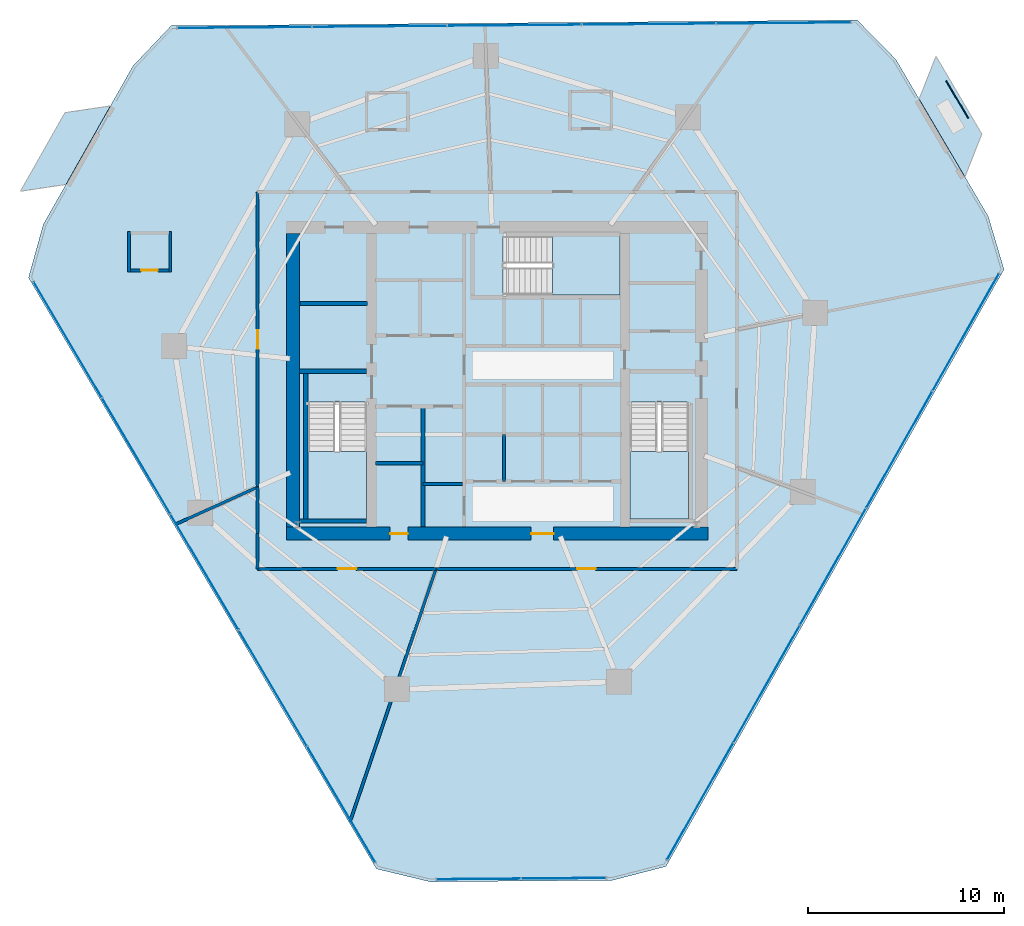
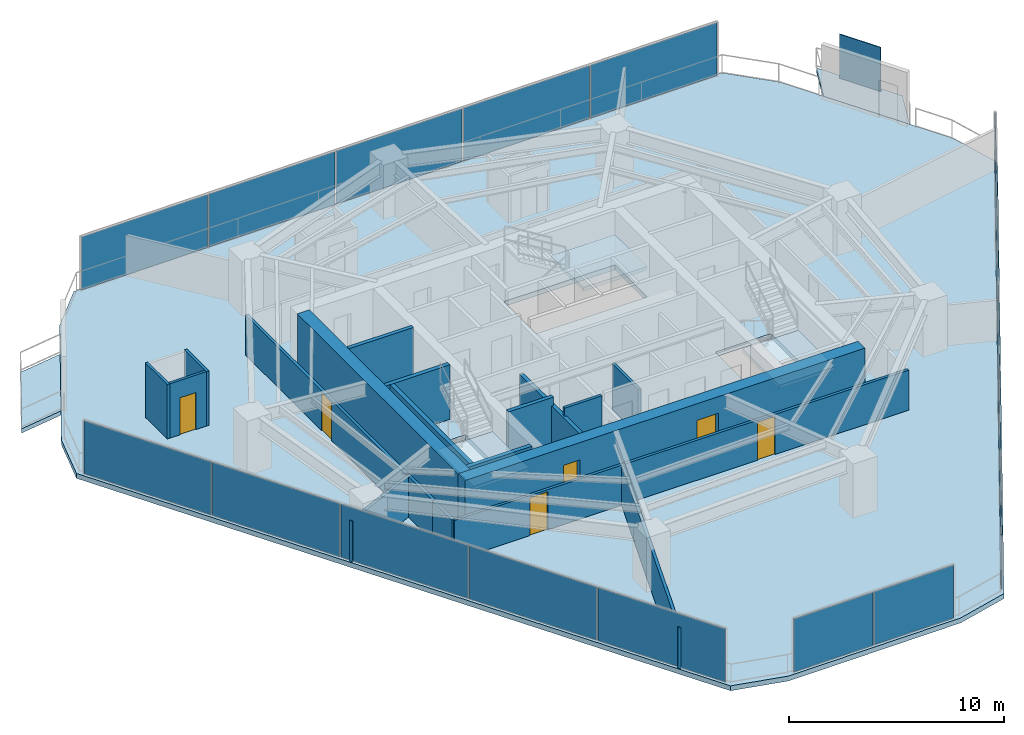
# One storey, part 24 of 31: 20 walls, 18 plates, 6 doors, 6 slabs, 6 openings, 7 elements without a shape of their own.
"""IFC4 building model written with IfcOpenShell, lengths in metres."""

from ifc_helpers import new_model, si_unit, direction, frame, frame_2d, origin, origin_2d, place, context, subcontext, project, spatial, polyline, rectangle, outline, extrude, material, layer, layer_set, type_object, element, fill, aggregate, save


model = new_model("IFC4")

# Units and contexts
model_context = context("Model", 3, precision=1e-05, world=origin(), true_north=direction((0.0, 1.0)))
body_context = subcontext(model_context, "Body", "Model", "MODEL_VIEW")
ifc_project = project(units=[si_unit("LENGTHUNIT", "METRE"), si_unit("AREAUNIT", "SQUARE_METRE"), si_unit("VOLUMEUNIT", "CUBIC_METRE"), si_unit("PLANEANGLEUNIT", "RADIAN"), si_unit("MASSUNIT", "GRAM", prefix="KILO")], contexts=[model_context])

# Site, building, storey
site_placement = place(None, origin())
site = spatial("IfcSite", under=ifc_project, at=site_placement, CompositionType="ELEMENT")
building_placement = place(site_placement, origin())
building = spatial("IfcBuilding", under=site, at=building_placement, Name="Qarnah Convention Tower", CompositionType="ELEMENT")
storey_placement = place(building_placement, frame((0.0, 0.0, 68.39990234375)))
storey = spatial("IfcBuildingStorey", under=building, at=storey_placement, Name="L17", CompositionType="ELEMENT", Elevation=68.39990234375)

# Curtain wall, plates
ifc_material_1 = material(Name="Tempered Low-E dark glass", Category="glass")
ifc_layer_1 = layer(ifc_material_1, 0.16796875)
ifc_layer_set_1 = layer_set([ifc_layer_1], Name="Tempered Low-E dark glass")
curtain_wall_type = type_object("IfcCurtainWallType", Name="CWS-01", PredefinedType="NOTDEFINED", material=ifc_layer_set_1)
curtain_wall_1_placement = place(storey_placement, origin())
curtain_wall_1 = element("IfcCurtainWall", 1, at=curtain_wall_1_placement, inside=storey, type_object=curtain_wall_type, Name="L17 unitised curtain wall CW-L17-F1", PredefinedType="NOTDEFINED")
ifc_layer_2 = layer(ifc_material_1, 0.028076171875)
ifc_layer_set_2 = layer_set([ifc_layer_2], Name="Tempered Low-E dark glass")
plate_type_1 = type_object("IfcPlateType", Name="PNL-T1", PredefinedType="CURTAIN_PANEL", material=ifc_layer_set_2)
plate_1_placement = place(storey_placement, frame((61.062255859375, 28.855224609375, 0.0400390625), z_axis=(0.0, 0.0, 1.0), x_axis=(-0.4927413748, -0.87017580842, 0.0)))
plate_1 = element("IfcPlate", 2, at=plate_1_placement, type_object=plate_type_1, Name="CW-L17-F1 curtain panel 1.1", PredefinedType="CURTAIN_PANEL", context=body_context, shape_type="SweptSolid", body=[
    extrude(rectangle(XDim=6.786865234375, YDim=0.028076171875, at=origin_2d()), origin(), (0.0, 0.0, 1.0), 3.010009765625),
])
plate_2_placement = place(storey_placement, frame((57.6787109375, 22.8798828125, 0.0400390625), z_axis=(0.0, 0.0, 1.0), x_axis=(-0.4927413748, -0.87017580842, 0.0)))
plate_2 = element("IfcPlate", 3, at=plate_2_placement, type_object=plate_type_1, Name="CW-L17-F1 curtain panel 2.1", PredefinedType="CURTAIN_PANEL", context=body_context, shape_type="SweptSolid", body=[
    extrude(rectangle(XDim=6.786865234375, YDim=0.028076171875, at=origin_2d()), origin(), (0.0, 0.0, 1.0), 3.010009765625),
])
plate_3_placement = place(storey_placement, frame((54.294921875, 16.904541015625, 0.0400390625), z_axis=(0.0, 0.0, 1.0), x_axis=(-0.4927413748, -0.87017580842, 0.0)))
plate_3 = element("IfcPlate", 4, at=plate_3_placement, type_object=plate_type_1, Name="CW-L17-F1 curtain panel 3.1", PredefinedType="CURTAIN_PANEL", context=body_context, shape_type="SweptSolid", body=[
    extrude(rectangle(XDim=6.786865234375, YDim=0.028076171875, at=origin_2d()), origin(), (0.0, 0.0, 1.0), 3.010009765625),
])
plate_4_placement = place(storey_placement, frame((50.911376953125, 10.92919921875, 0.0400390625), z_axis=(0.0, 0.0, 1.0), x_axis=(-0.4927413748, -0.87017580842, 0.0)))
plate_4 = element("IfcPlate", 5, at=plate_4_placement, type_object=plate_type_1, Name="CW-L17-F1 curtain panel 4.1", PredefinedType="CURTAIN_PANEL", context=body_context, shape_type="SweptSolid", body=[
    extrude(rectangle(XDim=6.786865234375, YDim=0.028076171875, at=origin_2d()), origin(), (0.0, 0.0, 1.0), 3.010009765625),
])
plate_5_placement = place(storey_placement, frame((47.52783203125, 4.95361328125, 0.0400390625), z_axis=(0.0, 0.0, 1.0), x_axis=(-0.4927413748, -0.87017580842, 0.0)))
plate_5 = element("IfcPlate", 6, at=plate_5_placement, type_object=plate_type_1, Name="CW-L17-F1 curtain panel 5.1", PredefinedType="CURTAIN_PANEL", context=body_context, shape_type="SweptSolid", body=[
    extrude(rectangle(XDim=6.786865234375, YDim=0.028076171875, at=origin_2d()), origin(), (0.0, 0.0, 1.0), 3.010009765625),
])
aggregate(curtain_wall_1, [plate_1, plate_2, plate_3, plate_4, plate_5])

curtain_wall_2_placement = place(storey_placement, origin())
curtain_wall_2 = element("IfcCurtainWall", 7, at=curtain_wall_2_placement, inside=storey, type_object=curtain_wall_type, Name="L17 unitised curtain wall CW-L17-F2", PredefinedType="NOTDEFINED")
plate_6_placement = place(storey_placement, frame((24.328125, 44.37158203125, 0.0400390625), z_axis=(0.0, 0.0, 1.0), x_axis=(0.999965303838, 0.008330133284, 0.0)))
plate_6 = element("IfcPlate", 8, at=plate_6_placement, type_object=plate_type_1, Name="CW-L17-F2 curtain panel 1.1", PredefinedType="CURTAIN_PANEL", context=body_context, shape_type="SweptSolid", body=[
    extrude(rectangle(XDim=6.78662109375, YDim=0.028076171875, at=origin_2d()), origin(), (0.0, 0.0, 1.0), 3.010009765625),
])
plate_7_placement = place(storey_placement, frame((31.194580078125, 44.4287109375, 0.0400390625), z_axis=(0.0, 0.0, 1.0), x_axis=(0.999965303838, 0.008330133284, 0.0)))
plate_7 = element("IfcPlate", 9, at=plate_7_placement, type_object=plate_type_1, Name="CW-L17-F2 curtain panel 2.1", PredefinedType="CURTAIN_PANEL", context=body_context, shape_type="SweptSolid", body=[
    extrude(rectangle(XDim=6.78662109375, YDim=0.028076171875, at=origin_2d()), origin(), (0.0, 0.0, 1.0), 3.010009765625),
])
plate_8_placement = place(storey_placement, frame((38.06103515625, 44.486083984375, 0.0400390625), z_axis=(0.0, 0.0, 1.0), x_axis=(0.999965303838, 0.008330133284, 0.0)))
plate_8 = element("IfcPlate", 10, at=plate_8_placement, type_object=plate_type_1, Name="CW-L17-F2 curtain panel 3.1", PredefinedType="CURTAIN_PANEL", context=body_context, shape_type="SweptSolid", body=[
    extrude(rectangle(XDim=6.78662109375, YDim=0.028076171875, at=origin_2d()), origin(), (0.0, 0.0, 1.0), 3.010009765625),
])
plate_9_placement = place(storey_placement, frame((44.927490234375, 44.543212890625, 0.0400390625), z_axis=(0.0, 0.0, 1.0), x_axis=(0.999965303838, 0.008330133284, 0.0)))
plate_9 = element("IfcPlate", 11, at=plate_9_placement, type_object=plate_type_1, Name="CW-L17-F2 curtain panel 4.1", PredefinedType="CURTAIN_PANEL", context=body_context, shape_type="SweptSolid", body=[
    extrude(rectangle(XDim=6.78662109375, YDim=0.028076171875, at=origin_2d()), origin(), (0.0, 0.0, 1.0), 3.010009765625),
])
plate_10_placement = place(storey_placement, frame((51.793701171875, 44.600341796875, 0.0400390625), z_axis=(0.0, 0.0, 1.0), x_axis=(0.999965303838, 0.008330133284, 0.0)))
plate_10 = element("IfcPlate", 12, at=plate_10_placement, type_object=plate_type_1, Name="CW-L17-F2 curtain panel 5.1", PredefinedType="CURTAIN_PANEL", context=body_context, shape_type="SweptSolid", body=[
    extrude(rectangle(XDim=6.78662109375, YDim=0.028076171875, at=origin_2d()), origin(), (0.0, 0.0, 1.0), 3.010009765625),
])
aggregate(curtain_wall_2, [plate_6, plate_7, plate_8, plate_9, plate_10])

curtain_wall_3_placement = place(storey_placement, origin())
curtain_wall_3 = element("IfcCurtainWall", 13, at=curtain_wall_3_placement, inside=storey, type_object=curtain_wall_type, Name="L17 unitised curtain wall CW-L17-F3", PredefinedType="NOTDEFINED")
plate_11_placement = place(storey_placement, frame((29.257568359375, 4.80078125, 0.0400390625), z_axis=(0.0, 0.0, 1.0), x_axis=(-0.507221231725, 0.861815886421, 0.0)))
plate_11 = element("IfcPlate", 14, at=plate_11_placement, type_object=plate_type_1, Name="CW-L17-F3 curtain panel 1.1", PredefinedType="CURTAIN_PANEL", context=body_context, shape_type="SweptSolid", body=[
    extrude(rectangle(XDim=6.786376953125, YDim=0.028076171875, at=origin_2d()), origin(), (0.0, 0.0, 1.0), 3.010009765625),
])
plate_12_placement = place(storey_placement, frame((25.77490234375, 10.718505859375, 0.0400390625), z_axis=(0.0, 0.0, 1.0), x_axis=(-0.507221231725, 0.861815886421, 0.0)))
plate_12 = element("IfcPlate", 15, at=plate_12_placement, type_object=plate_type_1, Name="CW-L17-F3 curtain panel 2.1", PredefinedType="CURTAIN_PANEL", context=body_context, shape_type="SweptSolid", body=[
    extrude(rectangle(XDim=6.786376953125, YDim=0.028076171875, at=origin_2d()), origin(), (0.0, 0.0, 1.0), 3.010009765625),
])
plate_13_placement = place(storey_placement, frame((22.2919921875, 16.635986328125, 0.0400390625), z_axis=(0.0, 0.0, 1.0), x_axis=(-0.507221231725, 0.861815886421, 0.0)))
plate_13 = element("IfcPlate", 16, at=plate_13_placement, type_object=plate_type_1, Name="CW-L17-F3 curtain panel 3.1", PredefinedType="CURTAIN_PANEL", context=body_context, shape_type="SweptSolid", body=[
    extrude(rectangle(XDim=6.786376953125, YDim=0.028076171875, at=origin_2d()), origin(), (0.0, 0.0, 1.0), 3.010009765625),
])
plate_14_placement = place(storey_placement, frame((18.80908203125, 22.5537109375, 0.0400390625), z_axis=(0.0, 0.0, 1.0), x_axis=(-0.507221231725, 0.861815886421, 0.0)))
plate_14 = element("IfcPlate", 17, at=plate_14_placement, type_object=plate_type_1, Name="CW-L17-F3 curtain panel 4.1", PredefinedType="CURTAIN_PANEL", context=body_context, shape_type="SweptSolid", body=[
    extrude(rectangle(XDim=6.786376953125, YDim=0.028076171875, at=origin_2d()), origin(), (0.0, 0.0, 1.0), 3.010009765625),
])
plate_15_placement = place(storey_placement, frame((15.326416015625, 28.47119140625, 0.0400390625), z_axis=(0.0, 0.0, 1.0), x_axis=(-0.507221231725, 0.861815886421, 0.0)))
plate_15 = element("IfcPlate", 18, at=plate_15_placement, type_object=plate_type_1, Name="CW-L17-F3 curtain panel 5.1", PredefinedType="CURTAIN_PANEL", context=body_context, shape_type="SweptSolid", body=[
    extrude(rectangle(XDim=6.786376953125, YDim=0.028076171875, at=origin_2d()), origin(), (0.0, 0.0, 1.0), 3.010009765625),
])
aggregate(curtain_wall_3, [plate_11, plate_12, plate_13, plate_14, plate_15])

curtain_wall_4_placement = place(storey_placement, origin())
curtain_wall_4 = element("IfcCurtainWall", 19, at=curtain_wall_4_placement, inside=storey, type_object=curtain_wall_type, Name="L17 unitised curtain wall CW-L17-F4", PredefinedType="NOTDEFINED")
plate_16_placement = place(storey_placement, frame((40.59521484375, 1.041015625, 0.0400390625), z_axis=(0.0, 0.0, 1.0), x_axis=(-0.999965590965, -0.008295594412, 0.0)))
plate_16 = element("IfcPlate", 20, at=plate_16_placement, type_object=plate_type_1, Name="CW-L17-F4 curtain panel 1.1", PredefinedType="CURTAIN_PANEL", context=body_context, shape_type="SweptSolid", body=[
    extrude(rectangle(XDim=4.259765625, YDim=0.028076171875, at=origin_2d()), origin(), (0.0, 0.0, 1.0), 3.010009765625),
])
plate_17_placement = place(storey_placement, frame((36.255859375, 1.0048828125, 0.0400390625), z_axis=(0.0, 0.0, 1.0), x_axis=(-0.999965590965, -0.008295594412, 0.0)))
plate_17 = element("IfcPlate", 21, at=plate_17_placement, type_object=plate_type_1, Name="CW-L17-F4 curtain panel 2.1", PredefinedType="CURTAIN_PANEL", context=body_context, shape_type="SweptSolid", body=[
    extrude(rectangle(XDim=4.259765625, YDim=0.028076171875, at=origin_2d()), origin(), (0.0, 0.0, 1.0), 3.010009765625),
])
aggregate(curtain_wall_4, [plate_16, plate_17])

# Plate
ifc_material_2 = material(Name="Black anodised aluminium", Category="aluminium")
ifc_layer_3 = layer(ifc_material_2, 0.044921875)
ifc_layer_set_3 = layer_set([ifc_layer_3], Name="Black anodised aluminium")
plate_type_2 = type_object("IfcPlateType", Name="SCR-BAL-18", PredefinedType="USERDEFINED", material=ifc_layer_set_3)
plate_18_placement = place(storey_placement, frame((60.6220703125, 40.702880859375, 0.0), z_axis=(0.0, 0.0, 1.0), x_axis=(0.507219516991, -0.861816895624, 0.0)))
element("IfcPlate", 22, at=plate_18_placement, inside=storey, type_object=plate_type_2, Name="L17 perforated desert solar screen BAL-L17-C1", ObjectType="SCREEN", PredefinedType="USERDEFINED", context=body_context, shape_type="SweptSolid", body=[
    extrude(rectangle(XDim=2.199951171875, YDim=0.044921875, at=origin_2d()), origin(), (0.0, 0.0, 1.0), 2.5),
])

# Slabs
ifc_material_3 = material(Name="Concrete C45/55", Category="concrete")
ifc_layer_4 = layer(ifc_material_3, 0.239990234375)
ifc_layer_set_4 = layer_set([ifc_layer_4], Name="Concrete C45/55")
slab_type_1 = type_object("IfcSlabType", Name="SLB-BAL-240", PredefinedType="USERDEFINED", material=ifc_layer_set_4)
slab_1_placement = place(storey_placement, frame((0.0, 0.0, -0.239990234375)))
element("IfcSlab", 23, at=slab_1_placement, inside=storey, type_object=slab_type_1, Name="L17 cantilevered balcony slab BAL-L17-C1", ObjectType="BALCONY", PredefinedType="USERDEFINED", context=body_context, shape_type="SweptSolid", body=[
    extrude(outline(polyline([(59.5439453125, 42.907958984375), (61.876953125, 38.944091796875), (61.01611328125, 36.760986328125), (58.68310546875, 40.72607421875), (59.5439453125, 42.907958984375)])), origin(), (0.0, 0.0, 1.0), 0.239990234375),
])
slab_2_placement = place(storey_placement, frame((0.0, 0.0, -0.239990234375)))
element("IfcSlab", 24, at=slab_2_placement, inside=storey, type_object=slab_type_1, Name="L17 cantilevered balcony slab BAL-L17-C2", ObjectType="BALCONY", PredefinedType="USERDEFINED", context=body_context, shape_type="SweptSolid", body=[
    extrude(outline(polyline([(12.9169921875, 36.030029296875), (15.18408203125, 40.032958984375), (17.50390625, 40.37890625), (15.238037109375, 36.3759765625), (12.9169921875, 36.030029296875)])), origin(), (0.0, 0.0, 1.0), 0.239990234375),
])

# Stair, slab
ifc_material_4 = material(Name="Concrete C50/60", Category="concrete")
stair_type = type_object("IfcStairType", Name="STR-HTL", PredefinedType="HALF_TURN_STAIR", material=ifc_material_4)
stair_1_placement = place(storey_placement, origin())
stair_1 = element("IfcStair", 25, at=stair_1_placement, inside=storey, type_object=stair_type, Name="L17 Core exit stair ST-1", PredefinedType="HALF_TURN_STAIR")
ifc_layer_5 = layer(ifc_material_4, 0.199951171875)
ifc_layer_set_5 = layer_set([ifc_layer_5], Name="Concrete C50/60")
slab_type_2 = type_object("IfcSlabType", Name="SLB-LANDING-200", PredefinedType="LANDING", material=ifc_layer_set_5)
slab_3_placement = place(storey_placement, frame((0.0, 0.0, 1.525146484375)))
slab_3 = element("IfcSlab", 26, at=slab_3_placement, type_object=slab_type_2, Name="ST-1 landing 1", PredefinedType="LANDING", context=body_context, shape_type="SweptSolid", body=[
    extrude(outline(polyline([(27.550048828125, 22.780029296875), (27.550048828125, 19.35009765625), (30.550048828125, 19.35009765625), (30.550048828125, 22.780029296875), (27.550048828125, 22.780029296875)])), origin(), (0.0, 0.0, 1.0), 0.199951171875),
])
aggregate(stair_1, [slab_3])

stair_2_placement = place(storey_placement, origin())
stair_2 = element("IfcStair", 27, at=stair_2_placement, inside=storey, type_object=stair_type, Name="L17 Core exit stair ST-2", PredefinedType="HALF_TURN_STAIR")
slab_4_placement = place(storey_placement, frame((0.0, 0.0, 1.525146484375)))
slab_4 = element("IfcSlab", 28, at=slab_4_placement, type_object=slab_type_2, Name="ST-2 landing 1", PredefinedType="LANDING", context=body_context, shape_type="SweptSolid", body=[
    extrude(outline(polyline([(43.949951171875, 22.780029296875), (43.949951171875, 19.35009765625), (46.949951171875, 19.35009765625), (46.949951171875, 22.780029296875), (43.949951171875, 22.780029296875)])), origin(), (0.0, 0.0, 1.0), 0.199951171875),
])
aggregate(stair_2, [slab_4])

stair_3_placement = place(storey_placement, origin())
stair_3 = element("IfcStair", 29, at=stair_3_placement, inside=storey, type_object=stair_type, Name="L17 Core exit stair ST-3", PredefinedType="HALF_TURN_STAIR")
slab_5_placement = place(storey_placement, frame((0.0, 0.0, 1.525146484375)))
slab_5 = element("IfcSlab", 30, at=slab_5_placement, type_object=slab_type_2, Name="ST-3 landing 1", PredefinedType="LANDING", context=body_context, shape_type="SweptSolid", body=[
    extrude(outline(polyline([(40.02001953125, 30.75), (43.449951171875, 30.75), (43.449951171875, 33.75), (40.02001953125, 33.75), (40.02001953125, 30.75)])), origin(), (0.0, 0.0, 1.0), 0.199951171875),
])
aggregate(stair_3, [slab_5])

# Slab
ifc_layer_6 = layer(ifc_material_3, 0.280029296875)
ifc_layer_set_6 = layer_set([ifc_layer_6], Name="Concrete C45/55")
slab_type_3 = type_object("IfcSlabType", Name="SLB-TWR-280", PredefinedType="FLOOR", material=ifc_layer_set_6)
slab_6_placement = place(storey_placement, frame((0.0, 0.0, -0.27978515625)))
element("IfcSlab", 31, at=slab_6_placement, inside=storey, type_object=slab_type_3, Name="L17 structural floor slab", PredefinedType="FLOOR", context=body_context, shape_type="SweptSolid", body=[
    extrude(outline(polyline([(55.52587890625, 44.751953125), (20.593994140625, 44.4599609375), (18.654052734375, 42.4169921875), (14.08203125, 34.343017578125), (13.3291015625, 31.6279296875), (31.048095703125, 1.52294921875), (33.787109375, 0.864013671875), (43.06591796875, 0.94189453125), (45.79296875, 1.64599609375), (63.006103515625, 32.044921875), (62.20703125, 34.74609375), (57.5, 42.742919921875), (55.52587890625, 44.751953125)]), holes=[polyline([(27.550048828125, 25.300048828125), (27.550048828125, 19.35009765625), (30.550048828125, 19.35009765625), (30.550048828125, 25.300048828125), (27.550048828125, 25.300048828125)]), polyline([(43.949951171875, 25.300048828125), (43.949951171875, 19.35009765625), (46.949951171875, 19.35009765625), (46.949951171875, 25.300048828125), (43.949951171875, 25.300048828125)]), polyline([(37.5, 30.75), (43.449951171875, 30.75), (43.449951171875, 33.75), (37.5, 33.75), (37.5, 30.75)])]), origin(), (0.0, 0.0, 1.0), 0.27978515625),
])

# Wall, openings, doors
ifc_material_5 = material(Name="Concrete C60/75", Category="concrete")
ifc_layer_7 = layer(ifc_material_5, 0.64990234375)
ifc_layer_set_7 = layer_set([ifc_layer_7], Name="Concrete C60/75")
wall_type_1 = type_object("IfcWallType", Name="WL-CORE-650", PredefinedType="SHEAR", material=ifc_layer_set_7)
wall_1_placement = place(storey_placement, frame((26.47509765625, 18.60009765625, 0.0), z_axis=(0.0, 0.0, 1.0), x_axis=(1.0, 0.0, 0.0)))
wall_1 = element("IfcWall", 32, at=wall_1_placement, inside=storey, type_object=wall_type_1, Name="L17 core south shear wall", PredefinedType="SHEAR", context=body_context, shape_type="SweptSolid", body=[
    extrude(rectangle(XDim=21.449951171875, YDim=0.64990234375, at=frame_2d((10.72509765625, 0.0))), origin(), (0.0, 0.0, 1.0), 3.090087890625),
])
opening_1_placement = place(wall_1_placement, frame((12.449951171875, 0.0, 0.0)))
opening_1 = element("IfcOpeningElement", 33, at=opening_1_placement, cuts=wall_1, Name="Opening D-1707", PredefinedType="OPENING", context=body_context, shape_type="SweptSolid", body=[
    extrude(rectangle(XDim=1.14990234375, YDim=2.14990234375, at=frame_2d((0.574951171875, 1.074951171875))), frame((0.0, 0.3349609375, 0.0), z_axis=(0.0, -1.0, 0.0), x_axis=(1.0, 0.0, 0.0)), (0.0, 0.0, 1.0), 0.669921875),
])
opening_2_placement = place(wall_1_placement, frame((5.27490234375, 0.0, 0.0)))
opening_2 = element("IfcOpeningElement", 34, at=opening_2_placement, cuts=wall_1, Name="Opening D-1713", PredefinedType="OPENING", context=body_context, shape_type="SweptSolid", body=[
    extrude(rectangle(XDim=0.89990234375, YDim=2.10009765625, at=frame_2d((0.449951171875, 1.050048828125))), frame((0.0, 0.3349609375, 0.0), z_axis=(0.0, -1.0, 0.0), x_axis=(1.0, 0.0, 0.0)), (0.0, 0.0, 1.0), 0.669921875),
])
ifc_material_6 = material(Name="Structural steel S355JR", Category="steel")
door_type_1 = type_object("IfcDoorType", Name="DT-LOBBY-1150", OperationType="NOTDEFINED", PredefinedType="DOOR", material=ifc_material_6)
door_1_placement = place(opening_1_placement, origin())
door_1 = element("IfcDoor", 35, at=door_1_placement, inside=storey, type_object=door_type_1, Name="Door D-1707", OperationType="SINGLE_SWING_LEFT", OverallHeight=2.14990234375, OverallWidth=1.14990234375, PredefinedType="DOOR", context=body_context, shape_type="SweptSolid", body=[
    extrude(rectangle(XDim=1.14990234375, YDim=2.14990234375, at=frame_2d((0.574951171875, 1.074951171875))), frame((0.0, 0.02490234375, 0.0), z_axis=(0.0, -1.0, 0.0), x_axis=(1.0, 0.0, 0.0)), (0.0, 0.0, 1.0), 0.050048828125),
])
fill(opening_1, door_1)
door_type_2 = type_object("IfcDoorType", Name="DT-RISER-900", OperationType="NOTDEFINED", PredefinedType="DOOR", material=ifc_material_6)
door_2_placement = place(opening_2_placement, origin())
door_2 = element("IfcDoor", 36, at=door_2_placement, inside=storey, type_object=door_type_2, Name="Door D-1713", OperationType="SINGLE_SWING_LEFT", OverallHeight=2.10009765625, OverallWidth=0.89990234375, PredefinedType="DOOR", context=body_context, shape_type="SweptSolid", body=[
    extrude(rectangle(XDim=0.89990234375, YDim=2.10009765625, at=frame_2d((0.449951171875, 1.050048828125))), frame((0.0, 0.02490234375, 0.0), z_axis=(0.0, -1.0, 0.0), x_axis=(1.0, 0.0, 0.0)), (0.0, 0.0, 1.0), 0.050048828125),
])
fill(opening_2, door_2)

# Walls
wall_2_placement = place(storey_placement, frame((26.800048828125, 18.925048828125, 0.0), z_axis=(0.0, 0.0, 1.0), x_axis=(0.0, 1.0, 0.0)))
element("IfcWall", 37, at=wall_2_placement, inside=storey, type_object=wall_type_1, Name="L17 core west shear wall", PredefinedType="SHEAR", context=body_context, shape_type="SweptSolid", body=[
    extrude(rectangle(XDim=14.949951171875, YDim=0.64990234375, at=frame_2d((7.47509765625, 0.0))), origin(), (0.0, 0.0, 1.0), 3.090087890625),
])
ifc_layer_8 = layer(ifc_material_3, 0.199951171875)
ifc_layer_set_8 = layer_set([ifc_layer_8], Name="Concrete C45/55")
wall_type_2 = type_object("IfcWallType", Name="WL-CORE-PART-200", PredefinedType="SOLIDWALL", material=ifc_layer_set_8)
wall_3_placement = place(storey_placement, frame((27.14990234375, 30.320068359375, 0.0), z_axis=(0.0, 0.0, 1.0), x_axis=(1.0, 0.0, 0.0)))
element("IfcWall", 38, at=wall_3_placement, inside=storey, type_object=wall_type_2, Name="L17 interior wall IW-L17-ELRN", PredefinedType="SOLIDWALL", context=body_context, shape_type="SweptSolid", body=[
    extrude(rectangle(XDim=3.4501953125, YDim=0.199951171875, at=frame_2d((1.72509765625, 0.0))), origin(), (0.0, 0.0, 1.0), 3.090087890625),
])
wall_4_placement = place(storey_placement, frame((33.419921875, 18.949951171875, 0.0), z_axis=(0.0, 0.0, 1.0), x_axis=(0.0, 1.0, 0.0)))
element("IfcWall", 39, at=wall_4_placement, inside=storey, type_object=wall_type_2, Name="L17 interior wall IW-L17-SVLE", PredefinedType="SOLIDWALL", context=body_context, shape_type="SweptSolid", body=[
    extrude(rectangle(XDim=6.130126953125, YDim=0.199951171875, at=frame_2d((3.06494140625, 0.0))), origin(), (0.0, 0.0, 1.0), 2.611083984375),
])
wall_5_placement = place(storey_placement, frame((31.0, 22.179931640625, 0.0), z_axis=(0.0, 0.0, 1.0), x_axis=(1.0, 0.0, 0.0)))
element("IfcWall", 40, at=wall_5_placement, inside=storey, type_object=wall_type_2, Name="L17 interior wall IW-L17-SVLS", PredefinedType="SOLIDWALL", context=body_context, shape_type="SweptSolid", body=[
    extrude(rectangle(XDim=2.419921875, YDim=0.199951171875, at=frame_2d((1.2099609375, 0.0))), origin(), (0.0, 0.0, 1.0), 3.090087890625),
])
ifc_layer_9 = layer(ifc_material_5, 0.219970703125)
ifc_layer_set_9 = layer_set([ifc_layer_9], Name="Concrete C60/75")
wall_type_3 = type_object("IfcWallType", Name="WL-CORE-STAIR-220", PredefinedType="SHEAR", material=ifc_layer_set_9)
wall_6_placement = place(storey_placement, frame((27.125, 26.860107421875, 0.0), z_axis=(0.0, 0.0, 1.0), x_axis=(1.0, 0.0, 0.0)))
element("IfcWall", 41, at=wall_6_placement, inside=storey, type_object=wall_type_3, Name="L17 stair shaft shear wall SW-L17-ST1N", PredefinedType="SHEAR", context=body_context, shape_type="SweptSolid", body=[
    extrude(rectangle(XDim=3.425048828125, YDim=0.219970703125, at=frame_2d((1.71240234375, 0.0))), origin(), (0.0, 0.0, 1.0), 3.090087890625),
])
wall_7_placement = place(storey_placement, frame((27.43994140625, 19.35009765625, 0.0), z_axis=(0.0, 0.0, 1.0), x_axis=(0.0, 1.0, 0.0)))
element("IfcWall", 42, at=wall_7_placement, inside=storey, type_object=wall_type_3, Name="L17 stair shaft shear wall SW-L17-ST1W", PredefinedType="SHEAR", context=body_context, shape_type="SweptSolid", body=[
    extrude(rectangle(XDim=7.39990234375, YDim=0.219970703125, at=frame_2d((3.699951171875, 0.0))), origin(), (0.0, 0.0, 1.0), 3.090087890625),
])
wall_8_placement = place(storey_placement, frame((27.125, 19.239990234375, 0.0), z_axis=(0.0, 0.0, 1.0), x_axis=(1.0, 0.0, 0.0)))
element("IfcWall", 43, at=wall_8_placement, inside=storey, type_object=wall_type_3, Name="L17 stair shaft shear wall SW-L17-ST1S", PredefinedType="SHEAR", context=body_context, shape_type="SweptSolid", body=[
    extrude(rectangle(XDim=3.425048828125, YDim=0.219970703125, at=frame_2d((1.71240234375, 0.0))), origin(), (0.0, 0.0, 1.0), 3.090087890625),
])
ifc_material_7 = material(Name="Gypsum partition board")
ifc_layer_10 = layer(ifc_material_7, 0.14990234375)
ifc_layer_set_10 = layer_set([ifc_layer_10], Name="Gypsum partition board")
wall_type_4 = type_object("IfcWallType", Name="WL-SUITE-150", PredefinedType="PARTITIONING", material=ifc_layer_set_10)
wall_9_placement = place(storey_placement, frame((33.419921875, 21.1201171875, 0.0), z_axis=(0.0, 0.0, 1.0), x_axis=(1.0, 0.0, 0.0)))
element("IfcWall", 44, at=wall_9_placement, inside=storey, type_object=wall_type_4, Name="L17 interior wall IW-L17-CSV1", PredefinedType="PARTITIONING", context=body_context, shape_type="SweptSolid", body=[
    extrude(rectangle(XDim=2.0, YDim=0.14990234375, at=frame_2d((1.0, 0.0))), origin(), (0.0, 0.0, 1.0), 3.090087890625),
])
wall_10_placement = place(storey_placement, frame((37.550048828125, 21.25, 0.0), z_axis=(0.0, 0.0, 1.0), x_axis=(0.0, 1.0, 0.0)))
element("IfcWall", 45, at=wall_10_placement, inside=storey, type_object=wall_type_4, Name="L17 interior wall IW-L17-PLD1", PredefinedType="PARTITIONING", context=body_context, shape_type="SweptSolid", body=[
    extrude(rectangle(XDim=2.39990234375, YDim=0.14990234375, at=frame_2d((1.199951171875, 0.0))), origin(), (0.0, 0.0, 1.0), 2.611083984375),
])
wall_11_placement = place(storey_placement, frame((20.81298828125, 19.070068359375, 0.0), z_axis=(0.0, 0.0, 1.0), x_axis=(0.910795213465, 0.412858425043, 0.0)))
element("IfcWall", 46, at=wall_11_placement, inside=storey, type_object=wall_type_4, Name="L17 interior wall IW-L17-R-22", PredefinedType="PARTITIONING", context=body_context, shape_type="SweptSolid", body=[
    extrude(rectangle(XDim=4.59716796875, YDim=0.14990234375, at=frame_2d((2.298583984375, 0.0))), origin(), (0.0, 0.0, 1.0), 2.315185546875),
])

# Wall, opening, door
wall_12_placement = place(storey_placement, frame((25.0, 20.968017578125, 0.0), z_axis=(0.0, 0.0, 1.0), x_axis=(0.0, 1.0, 0.0)))
wall_12 = element("IfcWall", 47, at=wall_12_placement, inside=storey, type_object=wall_type_4, Name="L17 interior wall IW-L17-R-23", PredefinedType="PARTITIONING", context=body_context, shape_type="SweptSolid", body=[
    extrude(rectangle(XDim=15.031982421875, YDim=0.14990234375, at=frame_2d((7.51611328125, 0.0))), origin(), (0.0, 0.0, 1.0), 2.275146484375),
])
opening_3_placement = place(wall_12_placement, frame((7.041015625, 0.0, 0.0)))
opening_3 = element("IfcOpeningElement", 48, at=opening_3_placement, cuts=wall_12, Name="Opening D-1721", PredefinedType="OPENING", context=body_context, shape_type="SweptSolid", body=[
    extrude(rectangle(XDim=0.949951171875, YDim=2.14990234375, at=frame_2d((0.47509765625, 1.074951171875))), frame((0.0, 0.0849609375, 0.0), z_axis=(0.0, -1.0, 0.0), x_axis=(1.0, 0.0, 0.0)), (0.0, 0.0, 1.0), 0.169921875),
])
ifc_material_8 = material(Name="Oak timber veneer", Category="wood")
door_type_3 = type_object("IfcDoorType", Name="DT-HOTEL-950", OperationType="NOTDEFINED", PredefinedType="DOOR", material=ifc_material_8)
door_3_placement = place(opening_3_placement, origin())
door_3 = element("IfcDoor", 49, at=door_3_placement, inside=storey, type_object=door_type_3, Name="Door D-1721", OperationType="SINGLE_SWING_LEFT", OverallHeight=2.14990234375, OverallWidth=0.949951171875, PredefinedType="DOOR", context=body_context, shape_type="SweptSolid", body=[
    extrude(rectangle(XDim=0.949951171875, YDim=2.14990234375, at=frame_2d((0.47509765625, 1.074951171875))), frame((0.0, 0.02490234375, 0.0), z_axis=(0.0, -1.0, 0.0), x_axis=(1.0, 0.0, 0.0)), (0.0, 0.0, 1.0), 0.050048828125),
])
fill(opening_3, door_3)

# Wall
wall_13_placement = place(storey_placement, frame((29.702880859375, 3.927001953125, 0.0), z_axis=(0.0, 0.0, 1.0), x_axis=(0.321990930656, 0.946742753115, 0.0)))
element("IfcWall", 50, at=wall_13_placement, inside=storey, type_object=wall_type_4, Name="L17 interior wall IW-L17-R-26", PredefinedType="PARTITIONING", context=body_context, shape_type="SweptSolid", body=[
    extrude(rectangle(XDim=13.59716796875, YDim=0.14990234375, at=frame_2d((6.798583984375, 0.0))), origin(), (0.0, 0.0, 1.0), 2.315185546875),
])

# Wall, opening, door
wall_14_placement = place(storey_placement, frame((34.0810546875, 16.800048828125, 0.0), z_axis=(0.0, 0.0, 1.0), x_axis=(-1.0, 0.0, 0.0)))
wall_14 = element("IfcWall", 51, at=wall_14_placement, inside=storey, type_object=wall_type_4, Name="L17 interior wall IW-L17-R-27", PredefinedType="PARTITIONING", context=body_context, shape_type="SweptSolid", body=[
    extrude(rectangle(XDim=9.0810546875, YDim=0.14990234375, at=frame_2d((4.54052734375, 0.0))), origin(), (0.0, 0.0, 1.0), 2.275146484375),
])
opening_4_placement = place(wall_14_placement, frame((4.06591796875, 0.0, 0.0)))
opening_4 = element("IfcOpeningElement", 52, at=opening_4_placement, cuts=wall_14, Name="Opening D-1723", PredefinedType="OPENING", context=body_context, shape_type="SweptSolid", body=[
    extrude(rectangle(XDim=0.949951171875, YDim=2.14990234375, at=frame_2d((0.47509765625, 1.074951171875))), frame((0.0, 0.0849609375, 0.0), z_axis=(0.0, -1.0, 0.0), x_axis=(1.0, 0.0, 0.0)), (0.0, 0.0, 1.0), 0.169921875),
])
door_4_placement = place(opening_4_placement, origin())
door_4 = element("IfcDoor", 53, at=door_4_placement, inside=storey, type_object=door_type_3, Name="Door D-1723", OperationType="SINGLE_SWING_LEFT", OverallHeight=2.14990234375, OverallWidth=0.949951171875, PredefinedType="DOOR", context=body_context, shape_type="SweptSolid", body=[
    extrude(rectangle(XDim=0.949951171875, YDim=2.14990234375, at=frame_2d((0.47509765625, 1.074951171875))), frame((0.0, 0.02490234375, 0.0), z_axis=(0.0, -1.0, 0.0), x_axis=(1.0, 0.0, 0.0)), (0.0, 0.0, 1.0), 0.050048828125),
])
fill(opening_4, door_4)

# Walls
wall_15_placement = place(storey_placement, frame((25.0, 16.800048828125, 0.0), z_axis=(0.0, 0.0, 1.0), x_axis=(0.0, 1.0, 0.0)))
element("IfcWall", 54, at=wall_15_placement, inside=storey, type_object=wall_type_4, Name="L17 interior wall IW-L17-R-28", PredefinedType="PARTITIONING", context=body_context, shape_type="SweptSolid", body=[
    extrude(rectangle(XDim=1.800048828125, YDim=0.14990234375, at=frame_2d((0.89990234375, 0.0))), origin(), (0.0, 0.0, 1.0), 2.275146484375),
])
wall_16_placement = place(storey_placement, frame((25.0, 18.60009765625, 0.0), z_axis=(0.0, 0.0, 1.0), x_axis=(0.0, 1.0, 0.0)))
element("IfcWall", 55, at=wall_16_placement, inside=storey, type_object=wall_type_4, Name="L17 interior wall IW-L17-R-29", PredefinedType="PARTITIONING", context=body_context, shape_type="SweptSolid", body=[
    extrude(rectangle(XDim=2.367919921875, YDim=0.14990234375, at=frame_2d((1.18408203125, 0.0))), origin(), (0.0, 0.0, 1.0), 2.315185546875),
])

# Wall, opening, door
wall_17_placement = place(storey_placement, frame((49.39990234375, 16.800048828125, 0.0), z_axis=(0.0, 0.0, 1.0), x_axis=(-1.0, 0.0, 0.0)))
wall_17 = element("IfcWall", 56, at=wall_17_placement, inside=storey, type_object=wall_type_4, Name="L17 interior wall IW-L17-R-33", PredefinedType="PARTITIONING", context=body_context, shape_type="SweptSolid", body=[
    extrude(rectangle(XDim=15.31884765625, YDim=0.14990234375, at=frame_2d((7.659423828125, 0.0))), origin(), (0.0, 0.0, 1.0), 2.275146484375),
])
opening_5_placement = place(wall_17_placement, frame((7.18408203125, 0.0, 0.0)))
opening_5 = element("IfcOpeningElement", 57, at=opening_5_placement, cuts=wall_17, Name="Opening D-1724", PredefinedType="OPENING", context=body_context, shape_type="SweptSolid", body=[
    extrude(rectangle(XDim=0.949951171875, YDim=2.14990234375, at=frame_2d((0.47509765625, 1.074951171875))), frame((0.0, 0.0849609375, 0.0), z_axis=(0.0, -1.0, 0.0), x_axis=(1.0, 0.0, 0.0)), (0.0, 0.0, 1.0), 0.169921875),
])
door_5_placement = place(opening_5_placement, origin())
door_5 = element("IfcDoor", 58, at=door_5_placement, inside=storey, type_object=door_type_3, Name="Door D-1724", OperationType="SINGLE_SWING_RIGHT", OverallHeight=2.14990234375, OverallWidth=0.949951171875, PredefinedType="DOOR", context=body_context, shape_type="SweptSolid", body=[
    extrude(rectangle(XDim=0.949951171875, YDim=2.14990234375, at=frame_2d((0.47509765625, 1.074951171875))), frame((0.0, 0.02490234375, 0.0), z_axis=(0.0, -1.0, 0.0), x_axis=(1.0, 0.0, 0.0)), (0.0, 0.0, 1.0), 0.050048828125),
])
fill(opening_5, door_5)

ifc_layer_11 = layer(ifc_material_7, 0.139892578125)
ifc_layer_set_11 = layer_set([ifc_layer_11], Name="Gypsum partition board")
wall_type_5 = type_object("IfcWallType", Name="WL-WET-140", PredefinedType="PARTITIONING", material=ifc_layer_set_11)
wall_18_placement = place(storey_placement, frame((18.373046875, 32.0009765625, 0.0), z_axis=(0.0, 0.0, 1.0), x_axis=(1.0, 0.0, 0.0)))
wall_18 = element("IfcWall", 59, at=wall_18_placement, inside=storey, type_object=wall_type_5, Name="L17 interior wall IW-L17-ENS03-1", PredefinedType="PARTITIONING", context=body_context, shape_type="SweptSolid", body=[
    extrude(rectangle(XDim=2.239990234375, YDim=0.139892578125, at=frame_2d((1.1201171875, 0.0))), origin(), (0.0, 0.0, 1.0), 3.090087890625),
])
opening_6_placement = place(wall_18_placement, frame((0.695068359375, 0.0, 0.0)))
opening_6 = element("IfcOpeningElement", 60, at=opening_6_placement, cuts=wall_18, Name="Opening D-1722", PredefinedType="OPENING", context=body_context, shape_type="SweptSolid", body=[
    extrude(rectangle(XDim=0.85009765625, YDim=2.10009765625, at=frame_2d((0.425048828125, 1.050048828125))), frame((0.0, 0.079833984375, 0.0), z_axis=(0.0, -1.0, 0.0), x_axis=(1.0, 0.0, 0.0)), (0.0, 0.0, 1.0), 0.159912109375),
])
door_type_4 = type_object("IfcDoorType", Name="DT-BATH-850", OperationType="NOTDEFINED", PredefinedType="DOOR", material=ifc_material_8)
door_6_placement = place(opening_6_placement, origin())
door_6 = element("IfcDoor", 61, at=door_6_placement, inside=storey, type_object=door_type_4, Name="Door D-1722", OperationType="SINGLE_SWING_RIGHT", OverallHeight=2.10009765625, OverallWidth=0.85009765625, PredefinedType="DOOR", context=body_context, shape_type="SweptSolid", body=[
    extrude(rectangle(XDim=0.85009765625, YDim=2.10009765625, at=frame_2d((0.425048828125, 1.050048828125))), frame((0.0, 0.02490234375, 0.0), z_axis=(0.0, -1.0, 0.0), x_axis=(1.0, 0.0, 0.0)), (0.0, 0.0, 1.0), 0.050048828125),
])
fill(opening_6, door_6)

# Walls
for number, where, z_axis, x_axis, name in (
    (62, (20.54296875, 31.930908203125, 0.0), (0.0, 0.0, 1.0), (0.0, 1.0, 0.0), "L17 interior wall IW-L17-ENS03-2"),
    (63, (18.443115234375, 33.970947265625, 0.0), (0.0, 0.0, 1.0), (0.0, -1.0, 0.0), "L17 interior wall IW-L17-ENS03-4"),
):
    element("IfcWall", number, at=place(storey_placement, frame(where, z_axis=z_axis, x_axis=x_axis)), inside=storey, type_object=wall_type_5, Name=name, PredefinedType="PARTITIONING", context=body_context, shape_type="SweptSolid", body=[
        extrude(rectangle(XDim=2.0400390625, YDim=0.139892578125, at=frame_2d((1.02001953125, 0.0))), origin(), (0.0, 0.0, 1.0), 3.090087890625),
    ])

save(model, "model.ifc")
